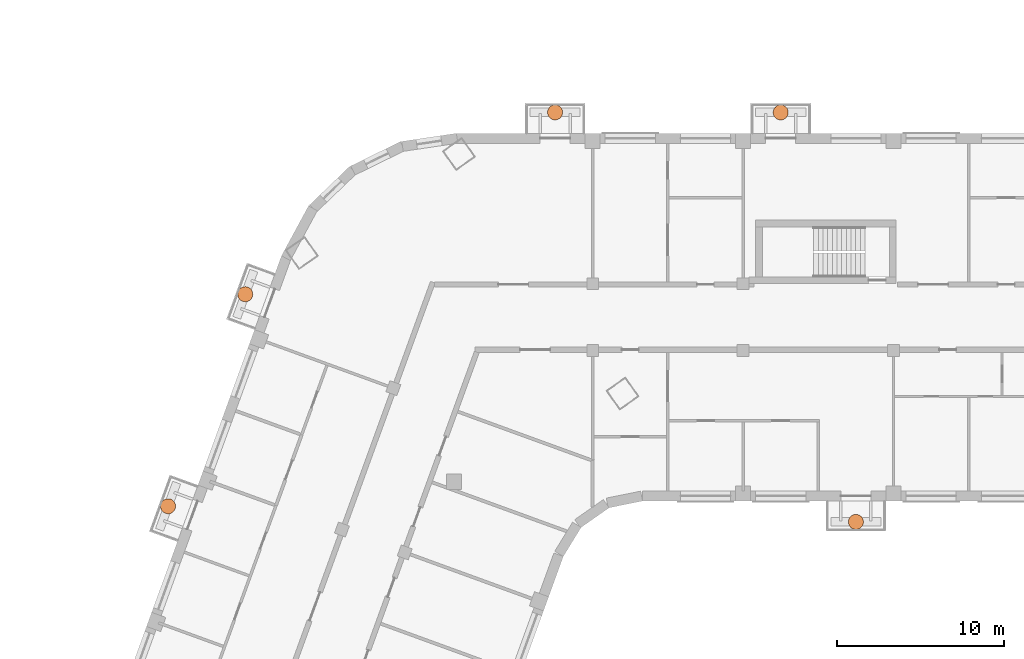
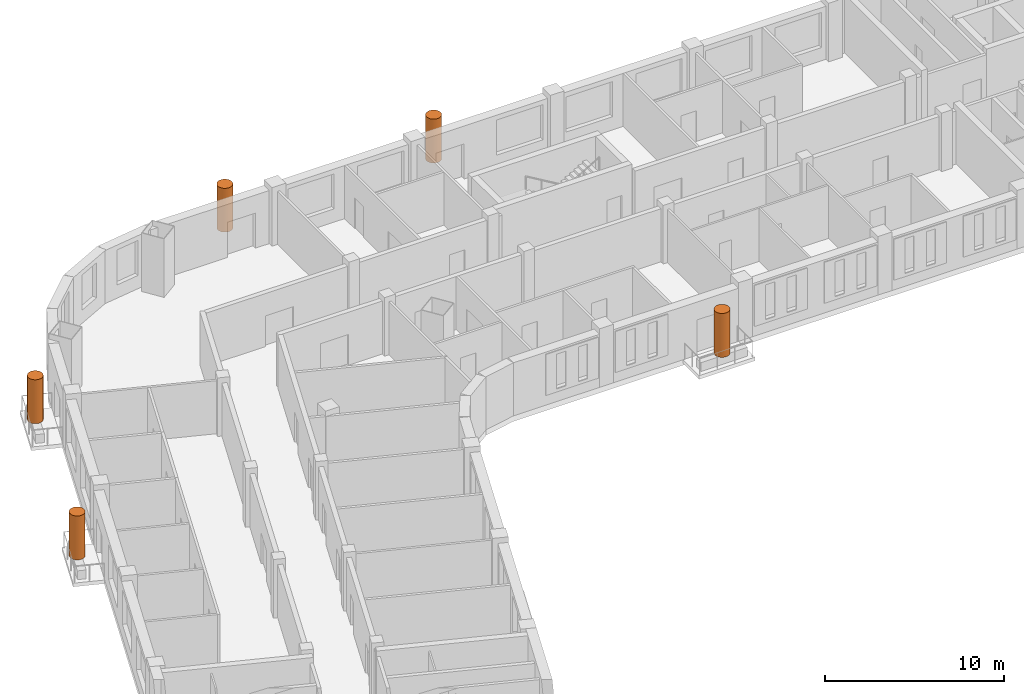
# One storey, part 15 of 15: 5 geographic elements.
"""IFC4 building model written with IfcOpenShell, lengths in metres."""

from ifc_helpers import new_model, si_unit, direction, frame, origin, origin_2d, place, context, subcontext, project, spatial, circle, extrude, element, save


model = new_model("IFC4")

# Units and contexts
model_context = context("Model", 3, precision=1e-05, world=origin(), true_north=direction((0.0, 1.0)))
body_context = subcontext(model_context, "Body", "Model", "MODEL_VIEW")
ifc_project = project(units=[si_unit("LENGTHUNIT", "METRE"), si_unit("AREAUNIT", "SQUARE_METRE"), si_unit("VOLUMEUNIT", "CUBIC_METRE"), si_unit("PLANEANGLEUNIT", "RADIAN"), si_unit("MASSUNIT", "GRAM", prefix="KILO")], contexts=[model_context])

# Site, building, storey
site_placement = place(None, origin())
site = spatial("IfcSite", under=ifc_project, at=site_placement, CompositionType="ELEMENT")
building_placement = place(site_placement, origin())
building = spatial("IfcBuilding", under=site, at=building_placement, Name="Skarvind Civic Tower", CompositionType="ELEMENT")
storey_placement = place(building_placement, frame((0.0, 0.0, 55.5)))
storey = spatial("IfcBuildingStorey", under=building, at=storey_placement, Name="L12", CompositionType="ELEMENT", Elevation=55.5)

# Geographic elements
for number, where, z_axis, x_axis, name in (
    (1, (70.0, 115.75, 0.60009765625), (0.0, 0.0, 1.0), (1.0, 0.0, 0.0), "TREE BALCONY TREE"),
    (2, (52.0, 140.25, 0.60009765625), (0.0, 0.0, 1.0), (1.0, 0.0, 0.0), "TREE BALCONY TREE"),
    (3, (65.5, 140.25, 0.60009765625), (0.0, 0.0, 1.0), (1.0, 0.0, 0.0), "TREE BALCONY TREE"),
    (4, (28.845458984375, 116.684814453125, 0.60009765625), (0.0, 0.0, 1.0), (1.0, 0.0, 0.0), "TREE BALCONY TREE"),
    (5, (33.462646484375, 129.37060546875, 0.60009765625), (0.0, 0.0, 1.0), (1.0, 0.0, 0.0), "TREE BALCONY TREE"),
):
    element("IfcGeographicElement", number, at=place(storey_placement, frame(where, z_axis=z_axis, x_axis=x_axis)), inside=storey, Name=name, ObjectType="TREE", PredefinedType="USERDEFINED", context=body_context, shape_type="SweptSolid", body=[
        extrude(circle(Radius=0.449951171875, at=origin_2d()), origin(), (0.0, 0.0, 1.0), 3.0),
    ])

save(model, "model.ifc")
